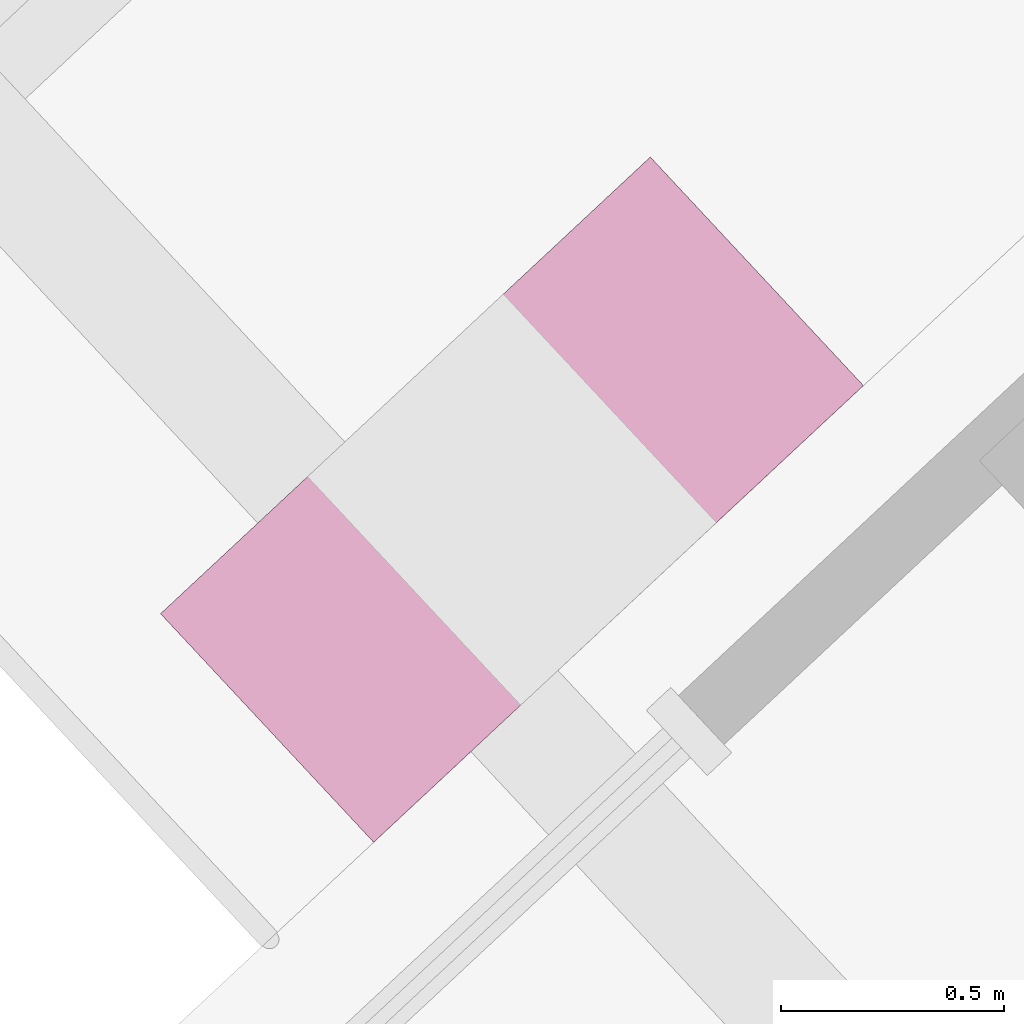
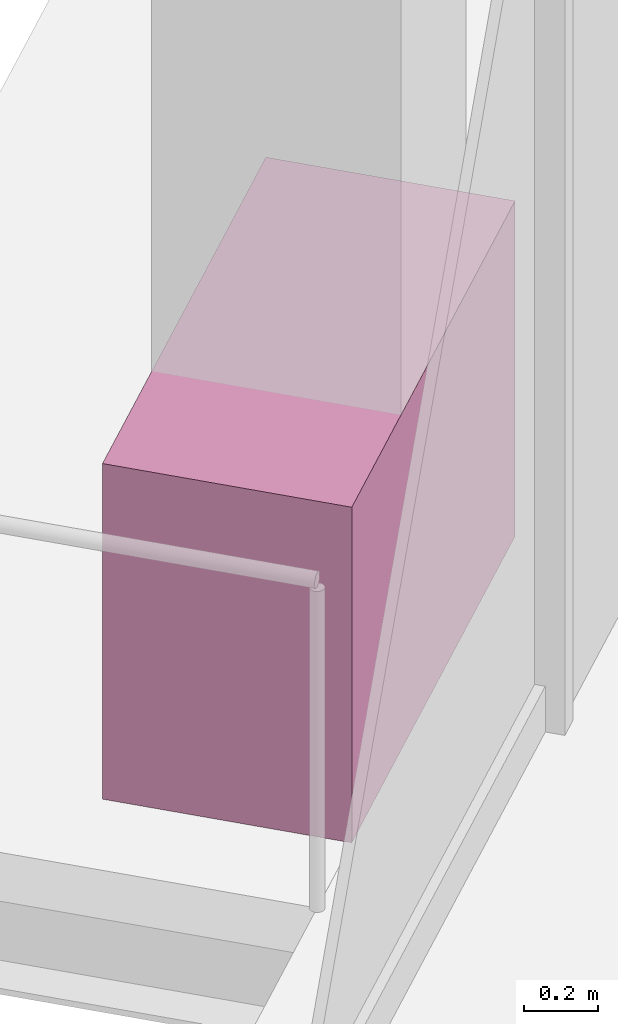
# One storey, part 17 of 18: 1 furniture element.
"""IFC4 building model written with IfcOpenShell, lengths in metres."""

from ifc_helpers import new_model, si_unit, direction, frame, origin, origin_2d, place, context, subcontext, project, spatial, rectangle, extrude, source, transform, mapped, material, type_object, element, save


model = new_model("IFC4")

# Units and contexts
model_context = context("Model", 3, precision=1e-05, world=origin(), true_north=direction((0.0, 1.0)))
body_context = subcontext(model_context, "Body", "Model", "MODEL_VIEW")
ifc_project = project(units=[si_unit("LENGTHUNIT", "METRE"), si_unit("AREAUNIT", "SQUARE_METRE"), si_unit("VOLUMEUNIT", "CUBIC_METRE"), si_unit("PLANEANGLEUNIT", "RADIAN"), si_unit("MASSUNIT", "GRAM", prefix="KILO")], contexts=[model_context])

# Site, building, storey
site_placement = place(None, origin())
site = spatial("IfcSite", under=ifc_project, at=site_placement, CompositionType="ELEMENT")
building_placement = place(site_placement, origin())
building = spatial("IfcBuilding", under=site, at=building_placement, Name="Triune Harvest Tower", CompositionType="ELEMENT")
storey_placement = place(building_placement, frame((0.0, 0.0, 101.89990234375)))
storey = spatial("IfcBuildingStorey", under=building, at=storey_placement, Name="L25", CompositionType="ELEMENT", Elevation=101.89990234375)

# Furniture
ifc_material = material(Name="Concrete 40 MPa", Category="concrete")
furniture_type = type_object("IfcFurnitureType", Name="PB-1 structural planter", AssemblyPlace="SITE", PredefinedType="USERDEFINED", material=ifc_material)
shared_shape = source(origin(), body_context, "Body", "SweptSolid", [
    extrude(rectangle(XDim=1.5, YDim=0.699951171875, at=origin_2d()), origin(), (0.0, 0.0, 1.0), 1.10009765625),
])
furniture_placement = place(storey_placement, frame((-9.07666015625, 22.5390625, 0.0), z_axis=(0.0, 0.0, 1.0), x_axis=(-0.73135336394, -0.681998722179, 0.0)))
element("IfcFurniture", 1, at=furniture_placement, inside=storey, type_object=furniture_type, Name="Planter B3-F3 L25.4b", ObjectType="PLANTER", PredefinedType="USERDEFINED", context=body_context, shape_type="MappedRepresentation", body=[
    mapped(shared_shape, transform((0.0, 0.0, 0.0), scale=1.0)),
])

save(model, "model.ifc")
